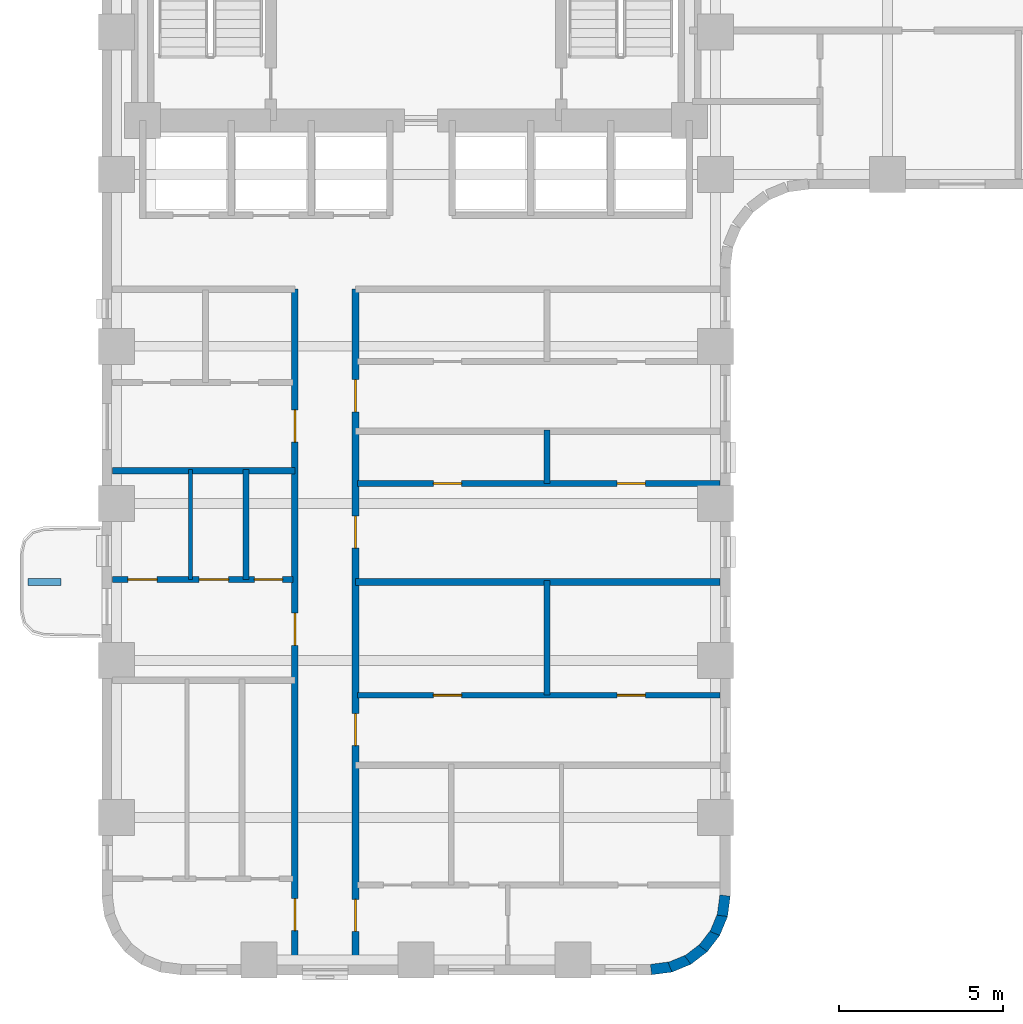
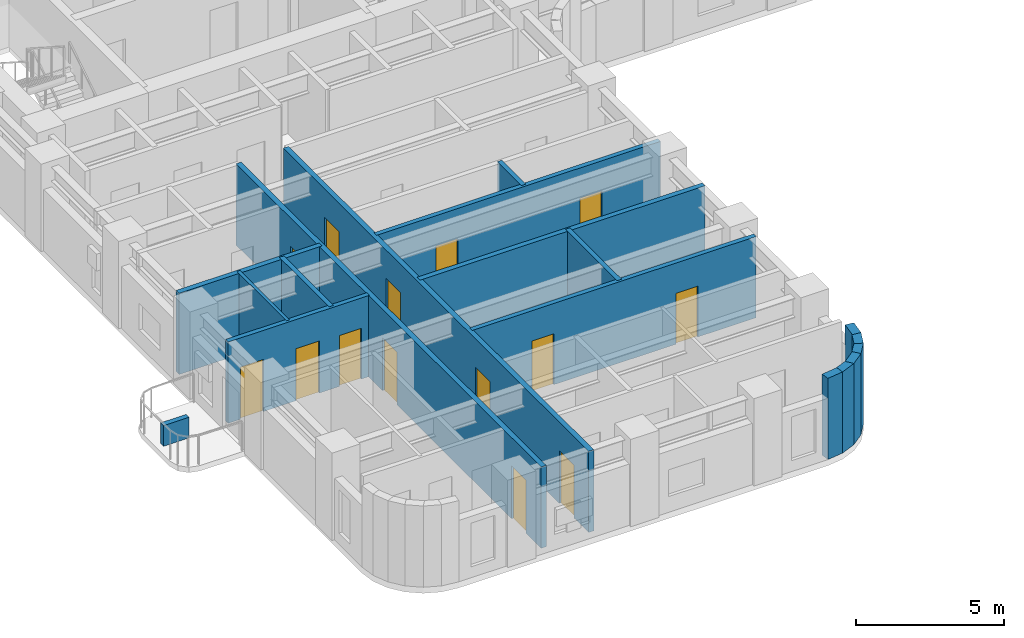
# One storey, part 3 of 12: 18 walls, 14 doors, 14 openings.
"""IFC4 building model written with IfcOpenShell, lengths in metres."""

from ifc_helpers import new_model, si_unit, direction, frame, frame_2d, origin, place, context, subcontext, project, spatial, rectangle, extrude, material, layer, layer_set, type_object, element, fill, save


model = new_model("IFC4")

# Units and contexts
model_context = context("Model", 3, precision=1e-05, world=origin(), true_north=direction((0.0, 1.0)))
body_context = subcontext(model_context, "Body", "Model", "MODEL_VIEW")
ifc_project = project(units=[si_unit("LENGTHUNIT", "METRE"), si_unit("AREAUNIT", "SQUARE_METRE"), si_unit("VOLUMEUNIT", "CUBIC_METRE"), si_unit("PLANEANGLEUNIT", "RADIAN"), si_unit("MASSUNIT", "GRAM", prefix="KILO")], contexts=[model_context])

# Site, building, storey
site_placement = place(None, origin())
site = spatial("IfcSite", under=ifc_project, at=site_placement, CompositionType="ELEMENT")
building_placement = place(site_placement, origin())
building = spatial("IfcBuilding", under=site, at=building_placement, Name="Orvandelia Arch Residences", CompositionType="ELEMENT")
storey_placement = place(building_placement, frame((0.0, 0.0, 39.39990234375)))
storey = spatial("IfcBuildingStorey", under=building, at=storey_placement, Name="L09", CompositionType="ELEMENT", Elevation=39.39990234375)

# Wall, openings, doors
ifc_material_1 = material(Name="Fire-Rated Corridor Partition")
ifc_layer_1 = layer(ifc_material_1, 0.199951171875, Name="Fire-Rated Corridor Partition")
ifc_layer_set_1 = layer_set([ifc_layer_1], Name="Fire-Rated Corridor Partition")
wall_type_1 = type_object("IfcWallType", Name="WL-CORR-200", PredefinedType="PARTITIONING", material=ifc_layer_set_1)
wall_1_placement = place(storey_placement, frame((10.699951171875, 5.1201171875, 0.0), z_axis=(0.0, 0.0, 1.0), x_axis=(0.0, 1.0, 0.0)))
wall_1 = element("IfcWall", 1, at=wall_1_placement, inside=storey, type_object=wall_type_1, Name="Interior Partition Wall WL-L09-WC-W", PredefinedType="PARTITIONING", context=body_context, shape_type="SweptSolid", body=[
    extrude(rectangle(XDim=20.6298828125, YDim=0.199951171875, at=frame_2d((10.31494140625, 0.0))), origin(), (0.0, 0.0, 1.0), 3.35009765625),
])
opening_1_placement = place(wall_1_placement, frame((1.028076171875, 0.0, 0.0)))
opening_1 = element("IfcOpeningElement", 2, at=opening_1_placement, cuts=wall_1, Name="Opening D1", PredefinedType="OPENING", context=body_context, shape_type="SweptSolid", body=[
    extrude(rectangle(XDim=0.97998046875, YDim=2.179931640625, at=frame_2d((0.489990234375, 1.08984375))), frame((0.0, 0.10986328125, 0.0), z_axis=(0.0, -1.0, 0.0), x_axis=(1.0, 0.0, 0.0)), (0.0, 0.0, 1.0), 0.219970703125),
])
opening_2_placement = place(wall_1_placement, frame((9.7470703125, 0.0, 0.0)))
opening_2 = element("IfcOpeningElement", 3, at=opening_2_placement, cuts=wall_1, Name="Opening D1", PredefinedType="OPENING", context=body_context, shape_type="SweptSolid", body=[
    extrude(rectangle(XDim=0.97998046875, YDim=2.179931640625, at=frame_2d((0.489990234375, 1.08984375))), frame((0.0, 0.10986328125, 0.0), z_axis=(0.0, -1.0, 0.0), x_axis=(1.0, 0.0, 0.0)), (0.0, 0.0, 1.0), 0.219970703125),
])
opening_3_placement = place(wall_1_placement, frame((15.9560546875, 0.0, 0.0)))
opening_3 = element("IfcOpeningElement", 4, at=opening_3_placement, cuts=wall_1, Name="Opening D1", PredefinedType="OPENING", context=body_context, shape_type="SweptSolid", body=[
    extrude(rectangle(XDim=0.97998046875, YDim=2.179931640625, at=frame_2d((0.489990234375, 1.08984375))), frame((0.0, 0.10986328125, 0.0), z_axis=(0.0, -1.0, 0.0), x_axis=(1.0, 0.0, 0.0)), (0.0, 0.0, 1.0), 0.219970703125),
])
ifc_material_2 = material(Name="Solid-Core Timber Acoustic Fire Door", Category="wood")
door_type_1 = type_object("IfcDoorType", Name="DR-ENT-980", OperationType="NOTDEFINED", PredefinedType="DOOR", material=ifc_material_2)
door_1_placement = place(opening_1_placement, origin())
door_1 = element("IfcDoor", 5, at=door_1_placement, inside=storey, type_object=door_type_1, Name="Unit L09-01 Entrance Door", OperationType="SINGLE_SWING_LEFT", OverallHeight=2.179931640625, OverallWidth=0.97998046875, PredefinedType="DOOR", context=body_context, shape_type="SweptSolid", body=[
    extrude(rectangle(XDim=0.97998046875, YDim=2.179931640625, at=frame_2d((0.489990234375, 1.08984375))), frame((0.0, 0.02490234375, 0.0), z_axis=(0.0, -1.0, 0.0), x_axis=(1.0, 0.0, 0.0)), (0.0, 0.0, 1.0), 0.050048828125),
])
fill(opening_1, door_1)
door_2_placement = place(opening_2_placement, origin())
door_2 = element("IfcDoor", 6, at=door_2_placement, inside=storey, type_object=door_type_1, Name="Unit L09-02 Entrance Door", OperationType="SINGLE_SWING_RIGHT", OverallHeight=2.179931640625, OverallWidth=0.97998046875, PredefinedType="DOOR", context=body_context, shape_type="SweptSolid", body=[
    extrude(rectangle(XDim=0.97998046875, YDim=2.179931640625, at=frame_2d((0.489990234375, 1.08984375))), frame((0.0, 0.02490234375, 0.0), z_axis=(0.0, -1.0, 0.0), x_axis=(1.0, 0.0, 0.0)), (0.0, 0.0, 1.0), 0.050048828125),
])
fill(opening_2, door_2)
door_3_placement = place(opening_3_placement, origin())
door_3 = element("IfcDoor", 7, at=door_3_placement, inside=storey, type_object=door_type_1, Name="Unit L09-03 Entrance Door", OperationType="SINGLE_SWING_LEFT", OverallHeight=2.179931640625, OverallWidth=0.97998046875, PredefinedType="DOOR", context=body_context, shape_type="SweptSolid", body=[
    extrude(rectangle(XDim=0.97998046875, YDim=2.179931640625, at=frame_2d((0.489990234375, 1.08984375))), frame((0.0, 0.02490234375, 0.0), z_axis=(0.0, -1.0, 0.0), x_axis=(1.0, 0.0, 0.0)), (0.0, 0.0, 1.0), 0.050048828125),
])
fill(opening_3, door_3)

wall_2_placement = place(storey_placement, frame((12.550048828125, 5.1201171875, 0.0), z_axis=(0.0, 0.0, 1.0), x_axis=(0.0, 1.0, 0.0)))
wall_2 = element("IfcWall", 8, at=wall_2_placement, inside=storey, type_object=wall_type_1, Name="Interior Partition Wall WL-L09-WC-E", PredefinedType="PARTITIONING", context=body_context, shape_type="SweptSolid", body=[
    extrude(rectangle(XDim=20.6298828125, YDim=0.199951171875, at=frame_2d((10.31494140625, 0.0))), origin(), (0.0, 0.0, 1.0), 3.35009765625),
])
opening_4_placement = place(wall_2_placement, frame((1.00390625, 0.0, 0.0)))
opening_4 = element("IfcOpeningElement", 9, at=opening_4_placement, cuts=wall_2, Name="Opening D1", PredefinedType="OPENING", context=body_context, shape_type="SweptSolid", body=[
    extrude(rectangle(XDim=0.97998046875, YDim=2.179931640625, at=frame_2d((0.489990234375, 1.08984375))), frame((0.0, 0.10986328125, 0.0), z_axis=(0.0, -1.0, 0.0), x_axis=(1.0, 0.0, 0.0)), (0.0, 0.0, 1.0), 0.219970703125),
])
opening_5_placement = place(wall_2_placement, frame((6.679931640625, 0.0, 0.0)))
opening_5 = element("IfcOpeningElement", 10, at=opening_5_placement, cuts=wall_2, Name="Opening D1", PredefinedType="OPENING", context=body_context, shape_type="SweptSolid", body=[
    extrude(rectangle(XDim=0.97998046875, YDim=2.179931640625, at=frame_2d((0.489990234375, 1.08984375))), frame((0.0, 0.10986328125, 0.0), z_axis=(0.0, -1.0, 0.0), x_axis=(1.0, 0.0, 0.0)), (0.0, 0.0, 1.0), 0.219970703125),
])
opening_6_placement = place(wall_2_placement, frame((12.715087890625, 0.0, 0.0)))
opening_6 = element("IfcOpeningElement", 11, at=opening_6_placement, cuts=wall_2, Name="Opening D1", PredefinedType="OPENING", context=body_context, shape_type="SweptSolid", body=[
    extrude(rectangle(XDim=0.97998046875, YDim=2.179931640625, at=frame_2d((0.489990234375, 1.08984375))), frame((0.0, 0.10986328125, 0.0), z_axis=(0.0, -1.0, 0.0), x_axis=(1.0, 0.0, 0.0)), (0.0, 0.0, 1.0), 0.219970703125),
])
opening_7_placement = place(wall_2_placement, frame((16.8798828125, 0.0, 0.0)))
opening_7 = element("IfcOpeningElement", 12, at=opening_7_placement, cuts=wall_2, Name="Opening D1", PredefinedType="OPENING", context=body_context, shape_type="SweptSolid", body=[
    extrude(rectangle(XDim=0.97998046875, YDim=2.179931640625, at=frame_2d((0.489990234375, 1.08984375))), frame((0.0, 0.10986328125, 0.0), z_axis=(0.0, -1.0, 0.0), x_axis=(1.0, 0.0, 0.0)), (0.0, 0.0, 1.0), 0.219970703125),
])
door_4_placement = place(opening_4_placement, origin())
door_4 = element("IfcDoor", 13, at=door_4_placement, inside=storey, type_object=door_type_1, Name="Unit L09-04 Entrance Door", OperationType="SINGLE_SWING_RIGHT", OverallHeight=2.179931640625, OverallWidth=0.97998046875, PredefinedType="DOOR", context=body_context, shape_type="SweptSolid", body=[
    extrude(rectangle(XDim=0.97998046875, YDim=2.179931640625, at=frame_2d((0.489990234375, 1.08984375))), frame((0.0, 0.02490234375, 0.0), z_axis=(0.0, -1.0, 0.0), x_axis=(1.0, 0.0, 0.0)), (0.0, 0.0, 1.0), 0.050048828125),
])
fill(opening_4, door_4)
door_5_placement = place(opening_5_placement, origin())
door_5 = element("IfcDoor", 14, at=door_5_placement, inside=storey, type_object=door_type_1, Name="Unit L09-05 Entrance Door", OperationType="SINGLE_SWING_LEFT", OverallHeight=2.179931640625, OverallWidth=0.97998046875, PredefinedType="DOOR", context=body_context, shape_type="SweptSolid", body=[
    extrude(rectangle(XDim=0.97998046875, YDim=2.179931640625, at=frame_2d((0.489990234375, 1.08984375))), frame((0.0, 0.02490234375, 0.0), z_axis=(0.0, -1.0, 0.0), x_axis=(1.0, 0.0, 0.0)), (0.0, 0.0, 1.0), 0.050048828125),
])
fill(opening_5, door_5)
door_6_placement = place(opening_6_placement, origin())
door_6 = element("IfcDoor", 15, at=door_6_placement, inside=storey, type_object=door_type_1, Name="Unit L09-06 Entrance Door", OperationType="SINGLE_SWING_RIGHT", OverallHeight=2.179931640625, OverallWidth=0.97998046875, PredefinedType="DOOR", context=body_context, shape_type="SweptSolid", body=[
    extrude(rectangle(XDim=0.97998046875, YDim=2.179931640625, at=frame_2d((0.489990234375, 1.08984375))), frame((0.0, 0.02490234375, 0.0), z_axis=(0.0, -1.0, 0.0), x_axis=(1.0, 0.0, 0.0)), (0.0, 0.0, 1.0), 0.050048828125),
])
fill(opening_6, door_6)
door_7_placement = place(opening_7_placement, origin())
door_7 = element("IfcDoor", 16, at=door_7_placement, inside=storey, type_object=door_type_1, Name="Unit L09-07 Entrance Door", OperationType="SINGLE_SWING_LEFT", OverallHeight=2.179931640625, OverallWidth=0.97998046875, PredefinedType="DOOR", context=body_context, shape_type="SweptSolid", body=[
    extrude(rectangle(XDim=0.97998046875, YDim=2.179931640625, at=frame_2d((0.489990234375, 1.08984375))), frame((0.0, 0.02490234375, 0.0), z_axis=(0.0, -1.0, 0.0), x_axis=(1.0, 0.0, 0.0)), (0.0, 0.0, 1.0), 0.050048828125),
])
fill(opening_7, door_7)

# Walls
ifc_material_3 = material(Name="Concrete C40/50", Category="concrete")
ifc_layer_2 = layer(ifc_material_3, 0.199951171875, Name="Concrete C40/50", Category="concrete")
ifc_layer_set_2 = layer_set([ifc_layer_2], Name="Concrete C40/50")
wall_type_2 = type_object("IfcWallType", Name="WL-DEM-200", PredefinedType="SOLIDWALL", material=ifc_layer_set_2)
wall_3_placement = place(storey_placement, frame((5.1201171875, 20.199951171875, 0.0), z_axis=(0.0, 0.0, 1.0), x_axis=(1.0, 0.0, 0.0)))
element("IfcWall", 17, at=wall_3_placement, inside=storey, type_object=wall_type_2, Name="Interior Partition Wall WL-L09-DEM-WL-202", PredefinedType="SOLIDWALL", context=body_context, shape_type="SweptSolid", body=[
    extrude(rectangle(XDim=5.579833984375, YDim=0.199951171875, at=frame_2d((2.7900390625, 0.0))), origin(), (0.0, 0.0, 1.0), 3.35009765625),
])
wall_4_placement = place(storey_placement, frame((12.550048828125, 16.800048828125, 0.0), z_axis=(0.0, 0.0, 1.0), x_axis=(1.0, 0.0, 0.0)))
element("IfcWall", 18, at=wall_4_placement, inside=storey, type_object=wall_type_2, Name="Interior Partition Wall WL-L09-DEM-WR-168", PredefinedType="SOLIDWALL", context=body_context, shape_type="SweptSolid", body=[
    extrude(rectangle(XDim=11.1298828125, YDim=0.199951171875, at=frame_2d((5.56494140625, 0.0))), origin(), (0.0, 0.0, 1.0), 3.35009765625),
])
ifc_material_4 = material(Name="Precast concrete C40/50", Category="concrete")
ifc_layer_3 = layer(ifc_material_4, 0.320068359375, Name="Precast concrete C40/50", Category="concrete")
ifc_layer_set_3 = layer_set([ifc_layer_3], Name="Precast concrete C40/50")
wall_type_3 = type_object("IfcWallType", Name="WL-EXT-STONE-320", PredefinedType="STANDARD", material=ifc_layer_set_3)
wall_5_placement = place(storey_placement, frame((23.84130859375, 7.220947265625, 0.0), z_axis=(0.0, 0.0, 1.0), x_axis=(-0.130504898859, -0.991447664465, 0.0)))
element("IfcWall", 19, at=wall_5_placement, inside=storey, type_object=wall_type_3, Name="Coral-Limestone Precast Facade Wall L09-029", PredefinedType="STANDARD", context=body_context, shape_type="SweptSolid", body=[
    extrude(rectangle(XDim=0.626708984375, YDim=0.320068359375, at=frame_2d((0.3134765625, 0.0))), origin(), (0.0, 0.0, 1.0), 3.35009765625),
])
wall_6_placement = place(storey_placement, frame((23.7705078125, 6.639892578125, 0.0), z_axis=(0.0, 0.0, 1.0), x_axis=(-0.382787856107, -0.923836271867, 0.0)))
element("IfcWall", 20, at=wall_6_placement, inside=storey, type_object=wall_type_3, Name="Coral-Limestone Precast Facade Wall L09-030", PredefinedType="STANDARD", context=body_context, shape_type="SweptSolid", body=[
    extrude(rectangle(XDim=0.626220703125, YDim=0.320068359375, at=frame_2d((0.31298828125, 0.0))), origin(), (0.0, 0.0, 1.0), 3.35009765625),
])
wall_7_placement = place(storey_placement, frame((23.551513671875, 6.097412109375, 0.0), z_axis=(0.0, 0.0, 1.0), x_axis=(-0.608693302629, -0.793405610854, 0.0)))
element("IfcWall", 21, at=wall_7_placement, inside=storey, type_object=wall_type_3, Name="Coral-Limestone Precast Facade Wall L09-031", PredefinedType="STANDARD", context=body_context, shape_type="SweptSolid", body=[
    extrude(rectangle(XDim=0.62646484375, YDim=0.320068359375, at=frame_2d((0.313232421875, 0.0))), origin(), (0.0, 0.0, 1.0), 3.35009765625),
])
wall_8_placement = place(storey_placement, frame((23.19970703125, 5.6298828125, 0.0), z_axis=(0.0, 0.0, 1.0), x_axis=(-0.7932174212, -0.608938521285, 0.0)))
element("IfcWall", 22, at=wall_8_placement, inside=storey, type_object=wall_type_3, Name="Coral-Limestone Precast Facade Wall L09-032", PredefinedType="STANDARD", context=body_context, shape_type="SweptSolid", body=[
    extrude(rectangle(XDim=0.626708984375, YDim=0.320068359375, at=frame_2d((0.3134765625, 0.0))), origin(), (0.0, 0.0, 1.0), 3.35009765625),
])
for number, where, z_axis, x_axis, name in (
    (23, (22.73876953125, 5.269287109375, 0.0), (0.0, 0.0, 1.0), (-0.92389335771, -0.382650053678, 0.0), "Coral-Limestone Precast Facade Wall L09-033"),
    (24, (22.2001953125, 5.040283203125, 0.0), (0.0, 0.0, 1.0), (-0.9914410257, -0.130555323746, 0.0), "Coral-Limestone Precast Facade Wall L09-034"),
):
    element("IfcWall", number, at=place(storey_placement, frame(where, z_axis=z_axis, x_axis=x_axis)), inside=storey, type_object=wall_type_3, Name=name, PredefinedType="STANDARD", context=body_context, shape_type="SweptSolid", body=[
        extrude(rectangle(XDim=0.62646484375, YDim=0.320068359375, at=frame_2d((0.313232421875, 0.0))), origin(), (0.0, 0.0, 1.0), 3.35009765625),
    ])
ifc_material_5 = material(Name="Lightweight Gypsum Stud Partition")
ifc_layer_4 = layer(ifc_material_5, 0.1201171875, Name="Lightweight Gypsum Stud Partition")
ifc_layer_set_4 = layer_set([ifc_layer_4], Name="Lightweight Gypsum Stud Partition")
wall_type_4 = type_object("IfcWallType", Name="WL-PART-120", PredefinedType="PARTITIONING", material=ifc_layer_set_4)
wall_9_placement = place(storey_placement, frame((7.514892578125, 16.8740234375, 0.0), z_axis=(0.0, 0.0, 1.0), x_axis=(0.0, 1.0, 0.0)))
element("IfcWall", 25, at=wall_9_placement, inside=storey, type_object=wall_type_4, Name="Interior Partition Wall WL-L09-U02-V1", PredefinedType="PARTITIONING", context=body_context, shape_type="SweptSolid", body=[
    extrude(rectangle(XDim=3.365966796875, YDim=0.1201171875, at=frame_2d((1.68310546875, 0.0))), origin(), (0.0, 0.0, 1.0), 3.35009765625),
])
ifc_layer_5 = layer(ifc_material_4, 0.199951171875, Name="Precast concrete C40/50", Category="concrete")
ifc_layer_set_5 = layer_set([ifc_layer_5], Name="Precast concrete C40/50")
wall_type_5 = type_object("IfcWallType", Name="WL-PLANTER-200", PredefinedType="MOVABLE", material=ifc_layer_set_5)
wall_10_placement = place(storey_placement, frame((2.550048828125, 16.800048828125, 0.0), z_axis=(0.0, 0.0, 1.0), x_axis=(1.0, 0.0, 0.0)))
element("IfcWall", 26, at=wall_10_placement, inside=storey, type_object=wall_type_5, Name="Balcony Precast Tree Planter BAL-L09-W1", PredefinedType="MOVABLE", context=body_context, shape_type="SweptSolid", body=[
    extrude(rectangle(XDim=1.0, YDim=0.199951171875, at=frame_2d((0.5, 0.0))), origin(), (0.0, 0.0, 1.0), 0.85009765625),
])

# Wall, openings, doors
ifc_material_6 = material(Name="Moisture-Resistant Plumbing Wall")
ifc_layer_6 = layer(ifc_material_6, 0.179931640625, Name="Moisture-Resistant Plumbing Wall")
ifc_layer_set_6 = layer_set([ifc_layer_6], Name="Moisture-Resistant Plumbing Wall")
wall_type_6 = type_object("IfcWallType", Name="WL-WET-180", PredefinedType="PLUMBINGWALL", material=ifc_layer_set_6)
wall_11_placement = place(storey_placement, frame((5.1201171875, 16.8740234375, 0.0), z_axis=(0.0, 0.0, 1.0), x_axis=(1.0, 0.0, 0.0)))
wall_11 = element("IfcWall", 27, at=wall_11_placement, inside=storey, type_object=wall_type_6, Name="Interior Partition Wall WL-L09-U02-HZ", PredefinedType="PLUMBINGWALL", context=body_context, shape_type="SweptSolid", body=[
    extrude(rectangle(XDim=5.519775390625, YDim=0.179931640625, at=frame_2d((2.759765625, 0.0))), origin(), (0.0, 0.0, 1.0), 3.35009765625),
])
opening_8_placement = place(wall_11_placement, frame((0.47216796875, 0.0, 0.0)))
opening_8 = element("IfcOpeningElement", 28, at=opening_8_placement, cuts=wall_11, Name="Opening D3", PredefinedType="OPENING", context=body_context, shape_type="SweptSolid", body=[
    extrude(rectangle(XDim=0.89990234375, YDim=2.14990234375, at=frame_2d((0.449951171875, 1.074951171875))), frame((0.0, 0.10009765625, 0.0), z_axis=(0.0, -1.0, 0.0), x_axis=(1.0, 0.0, 0.0)), (0.0, 0.0, 1.0), 0.199951171875),
])
opening_9_placement = place(wall_11_placement, frame((2.655029296875, 0.0, 0.0)))
opening_9 = element("IfcOpeningElement", 29, at=opening_9_placement, cuts=wall_11, Name="Opening D3", PredefinedType="OPENING", context=body_context, shape_type="SweptSolid", body=[
    extrude(rectangle(XDim=0.89990234375, YDim=2.14990234375, at=frame_2d((0.449951171875, 1.074951171875))), frame((0.0, 0.10009765625, 0.0), z_axis=(0.0, -1.0, 0.0), x_axis=(1.0, 0.0, 0.0)), (0.0, 0.0, 1.0), 0.199951171875),
])
opening_10_placement = place(wall_11_placement, frame((4.342041015625, 0.0, 0.0)))
opening_10 = element("IfcOpeningElement", 30, at=opening_10_placement, cuts=wall_11, Name="Opening D4", PredefinedType="OPENING", context=body_context, shape_type="SweptSolid", body=[
    extrude(rectangle(XDim=0.860107421875, YDim=2.10009765625, at=frame_2d((0.43017578125, 1.050048828125))), frame((0.0, 0.10009765625, 0.0), z_axis=(0.0, -1.0, 0.0), x_axis=(1.0, 0.0, 0.0)), (0.0, 0.0, 1.0), 0.199951171875),
])
ifc_material_7 = material(Name="Engineered Timber Flush Door", Category="wood")
door_type_2 = type_object("IfcDoorType", Name="DR-INT-900", OperationType="NOTDEFINED", PredefinedType="DOOR", material=ifc_material_7)
door_8_placement = place(opening_8_placement, origin())
door_8 = element("IfcDoor", 31, at=door_8_placement, inside=storey, type_object=door_type_2, Name="DR-L09-U02-BD1", OperationType="SINGLE_SWING_RIGHT", OverallHeight=2.14990234375, OverallWidth=0.89990234375, PredefinedType="DOOR", context=body_context, shape_type="SweptSolid", body=[
    extrude(rectangle(XDim=0.89990234375, YDim=2.14990234375, at=frame_2d((0.449951171875, 1.074951171875))), frame((0.0, 0.02490234375, 0.0), z_axis=(0.0, -1.0, 0.0), x_axis=(1.0, 0.0, 0.0)), (0.0, 0.0, 1.0), 0.050048828125),
])
fill(opening_8, door_8)
door_9_placement = place(opening_9_placement, origin())
door_9 = element("IfcDoor", 32, at=door_9_placement, inside=storey, type_object=door_type_2, Name="DR-L09-U02-KIT", OperationType="SINGLE_SWING_LEFT", OverallHeight=2.14990234375, OverallWidth=0.89990234375, PredefinedType="DOOR", context=body_context, shape_type="SweptSolid", body=[
    extrude(rectangle(XDim=0.89990234375, YDim=2.14990234375, at=frame_2d((0.449951171875, 1.074951171875))), frame((0.0, 0.02490234375, 0.0), z_axis=(0.0, -1.0, 0.0), x_axis=(1.0, 0.0, 0.0)), (0.0, 0.0, 1.0), 0.050048828125),
])
fill(opening_9, door_9)
ifc_material_8 = material(Name="Moisture-Sealed Timber Bathroom Door", Category="wood")
door_type_3 = type_object("IfcDoorType", Name="DR-WET-900", OperationType="NOTDEFINED", PredefinedType="DOOR", material=ifc_material_8)
door_10_placement = place(opening_10_placement, origin())
door_10 = element("IfcDoor", 33, at=door_10_placement, inside=storey, type_object=door_type_3, Name="DR-L09-U02-BTH", OperationType="SINGLE_SWING_RIGHT", OverallHeight=2.10009765625, OverallWidth=0.860107421875, PredefinedType="DOOR", context=body_context, shape_type="SweptSolid", body=[
    extrude(rectangle(XDim=0.860107421875, YDim=2.10009765625, at=frame_2d((0.43017578125, 1.050048828125))), frame((0.0, 0.02490234375, 0.0), z_axis=(0.0, -1.0, 0.0), x_axis=(1.0, 0.0, 0.0)), (0.0, 0.0, 1.0), 0.050048828125),
])
fill(opening_10, door_10)

# Wall
wall_12_placement = place(storey_placement, frame((9.201904296875, 16.8740234375, 0.0), z_axis=(0.0, 0.0, 1.0), x_axis=(0.0, 1.0, 0.0)))
element("IfcWall", 34, at=wall_12_placement, inside=storey, type_object=wall_type_6, Name="Interior Partition Wall WL-L09-U02-V2", PredefinedType="PLUMBINGWALL", context=body_context, shape_type="SweptSolid", body=[
    extrude(rectangle(XDim=3.365966796875, YDim=0.179931640625, at=frame_2d((1.68310546875, 0.0))), origin(), (0.0, 0.0, 1.0), 3.35009765625),
])

# Wall, openings, doors
wall_13_placement = place(storey_placement, frame((12.610107421875, 13.340087890625, 0.0), z_axis=(0.0, 0.0, 1.0), x_axis=(1.0, 0.0, 0.0)))
wall_13 = element("IfcWall", 35, at=wall_13_placement, inside=storey, type_object=wall_type_6, Name="Interior Partition Wall WL-L09-U05-HZ", PredefinedType="PLUMBINGWALL", context=body_context, shape_type="SweptSolid", body=[
    extrude(rectangle(XDim=11.06982421875, YDim=0.179931640625, at=frame_2d((5.534912109375, 0.0))), origin(), (0.0, 0.0, 1.0), 3.35009765625),
])
opening_11_placement = place(wall_13_placement, frame((2.319091796875, 0.0, 0.0)))
opening_11 = element("IfcOpeningElement", 36, at=opening_11_placement, cuts=wall_13, Name="Opening D4", PredefinedType="OPENING", context=body_context, shape_type="SweptSolid", body=[
    extrude(rectangle(XDim=0.860107421875, YDim=2.10009765625, at=frame_2d((0.43017578125, 1.050048828125))), frame((0.0, 0.10009765625, 0.0), z_axis=(0.0, -1.0, 0.0), x_axis=(1.0, 0.0, 0.0)), (0.0, 0.0, 1.0), 0.199951171875),
])
opening_12_placement = place(wall_13_placement, frame((7.93408203125, 0.0, 0.0)))
opening_12 = element("IfcOpeningElement", 37, at=opening_12_placement, cuts=wall_13, Name="Opening D4", PredefinedType="OPENING", context=body_context, shape_type="SweptSolid", body=[
    extrude(rectangle(XDim=0.860107421875, YDim=2.10009765625, at=frame_2d((0.43017578125, 1.050048828125))), frame((0.0, 0.10009765625, 0.0), z_axis=(0.0, -1.0, 0.0), x_axis=(1.0, 0.0, 0.0)), (0.0, 0.0, 1.0), 0.199951171875),
])
door_11_placement = place(opening_11_placement, origin())
door_11 = element("IfcDoor", 38, at=door_11_placement, inside=storey, type_object=door_type_3, Name="DR-L09-U05-KIT", OperationType="SINGLE_SWING_LEFT", OverallHeight=2.10009765625, OverallWidth=0.860107421875, PredefinedType="DOOR", context=body_context, shape_type="SweptSolid", body=[
    extrude(rectangle(XDim=0.860107421875, YDim=2.10009765625, at=frame_2d((0.43017578125, 1.050048828125))), frame((0.0, 0.02490234375, 0.0), z_axis=(0.0, -1.0, 0.0), x_axis=(1.0, 0.0, 0.0)), (0.0, 0.0, 1.0), 0.050048828125),
])
fill(opening_11, door_11)
door_12_placement = place(opening_12_placement, origin())
door_12 = element("IfcDoor", 39, at=door_12_placement, inside=storey, type_object=door_type_3, Name="DR-L09-U05-BTH", OperationType="SINGLE_SWING_RIGHT", OverallHeight=2.10009765625, OverallWidth=0.860107421875, PredefinedType="DOOR", context=body_context, shape_type="SweptSolid", body=[
    extrude(rectangle(XDim=0.860107421875, YDim=2.10009765625, at=frame_2d((0.43017578125, 1.050048828125))), frame((0.0, 0.02490234375, 0.0), z_axis=(0.0, -1.0, 0.0), x_axis=(1.0, 0.0, 0.0)), (0.0, 0.0, 1.0), 0.050048828125),
])
fill(opening_12, door_12)

# Wall
wall_14_placement = place(storey_placement, frame((18.39794921875, 13.340087890625, 0.0), z_axis=(0.0, 0.0, 1.0), x_axis=(0.0, 1.0, 0.0)))
element("IfcWall", 40, at=wall_14_placement, inside=storey, type_object=wall_type_6, Name="Interior Partition Wall WL-L09-U05-V1", PredefinedType="PLUMBINGWALL", context=body_context, shape_type="SweptSolid", body=[
    extrude(rectangle(XDim=3.5, YDim=0.179931640625, at=frame_2d((1.75, 0.0))), origin(), (0.0, 0.0, 1.0), 3.35009765625),
])

# Wall, openings, doors
wall_15_placement = place(storey_placement, frame((12.610107421875, 19.81005859375, 0.0), z_axis=(0.0, 0.0, 1.0), x_axis=(1.0, 0.0, 0.0)))
wall_15 = element("IfcWall", 41, at=wall_15_placement, inside=storey, type_object=wall_type_6, Name="Interior Partition Wall WL-L09-U06-HZ", PredefinedType="PLUMBINGWALL", context=body_context, shape_type="SweptSolid", body=[
    extrude(rectangle(XDim=11.06982421875, YDim=0.179931640625, at=frame_2d((5.534912109375, 0.0))), origin(), (0.0, 0.0, 1.0), 3.35009765625),
])
opening_13_placement = place(wall_15_placement, frame((2.319091796875, 0.0, 0.0)))
opening_13 = element("IfcOpeningElement", 42, at=opening_13_placement, cuts=wall_15, Name="Opening D4", PredefinedType="OPENING", context=body_context, shape_type="SweptSolid", body=[
    extrude(rectangle(XDim=0.860107421875, YDim=2.10009765625, at=frame_2d((0.43017578125, 1.050048828125))), frame((0.0, 0.10009765625, 0.0), z_axis=(0.0, -1.0, 0.0), x_axis=(1.0, 0.0, 0.0)), (0.0, 0.0, 1.0), 0.199951171875),
])
opening_14_placement = place(wall_15_placement, frame((7.93408203125, 0.0, 0.0)))
opening_14 = element("IfcOpeningElement", 43, at=opening_14_placement, cuts=wall_15, Name="Opening D4", PredefinedType="OPENING", context=body_context, shape_type="SweptSolid", body=[
    extrude(rectangle(XDim=0.860107421875, YDim=2.10009765625, at=frame_2d((0.43017578125, 1.050048828125))), frame((0.0, 0.10009765625, 0.0), z_axis=(0.0, -1.0, 0.0), x_axis=(1.0, 0.0, 0.0)), (0.0, 0.0, 1.0), 0.199951171875),
])
door_13_placement = place(opening_13_placement, origin())
door_13 = element("IfcDoor", 44, at=door_13_placement, inside=storey, type_object=door_type_3, Name="DR-L09-U06-KIT", OperationType="SINGLE_SWING_RIGHT", OverallHeight=2.10009765625, OverallWidth=0.860107421875, PredefinedType="DOOR", context=body_context, shape_type="SweptSolid", body=[
    extrude(rectangle(XDim=0.860107421875, YDim=2.10009765625, at=frame_2d((0.43017578125, 1.050048828125))), frame((0.0, 0.02490234375, 0.0), z_axis=(0.0, -1.0, 0.0), x_axis=(1.0, 0.0, 0.0)), (0.0, 0.0, 1.0), 0.050048828125),
])
fill(opening_13, door_13)
door_14_placement = place(opening_14_placement, origin())
door_14 = element("IfcDoor", 45, at=door_14_placement, inside=storey, type_object=door_type_3, Name="DR-L09-U06-BTH", OperationType="SINGLE_SWING_LEFT", OverallHeight=2.10009765625, OverallWidth=0.860107421875, PredefinedType="DOOR", context=body_context, shape_type="SweptSolid", body=[
    extrude(rectangle(XDim=0.860107421875, YDim=2.10009765625, at=frame_2d((0.43017578125, 1.050048828125))), frame((0.0, 0.02490234375, 0.0), z_axis=(0.0, -1.0, 0.0), x_axis=(1.0, 0.0, 0.0)), (0.0, 0.0, 1.0), 0.050048828125),
])
fill(opening_14, door_14)

# Wall
wall_16_placement = place(storey_placement, frame((18.39794921875, 19.81005859375, 0.0), z_axis=(0.0, 0.0, 1.0), x_axis=(0.0, 1.0, 0.0)))
element("IfcWall", 46, at=wall_16_placement, inside=storey, type_object=wall_type_6, Name="Interior Partition Wall WL-L09-U06-V1", PredefinedType="PLUMBINGWALL", context=body_context, shape_type="SweptSolid", body=[
    extrude(rectangle(XDim=1.6298828125, YDim=0.179931640625, at=frame_2d((0.81494140625, 0.0))), origin(), (0.0, 0.0, 1.0), 3.35009765625),
])

save(model, "model.ifc")
